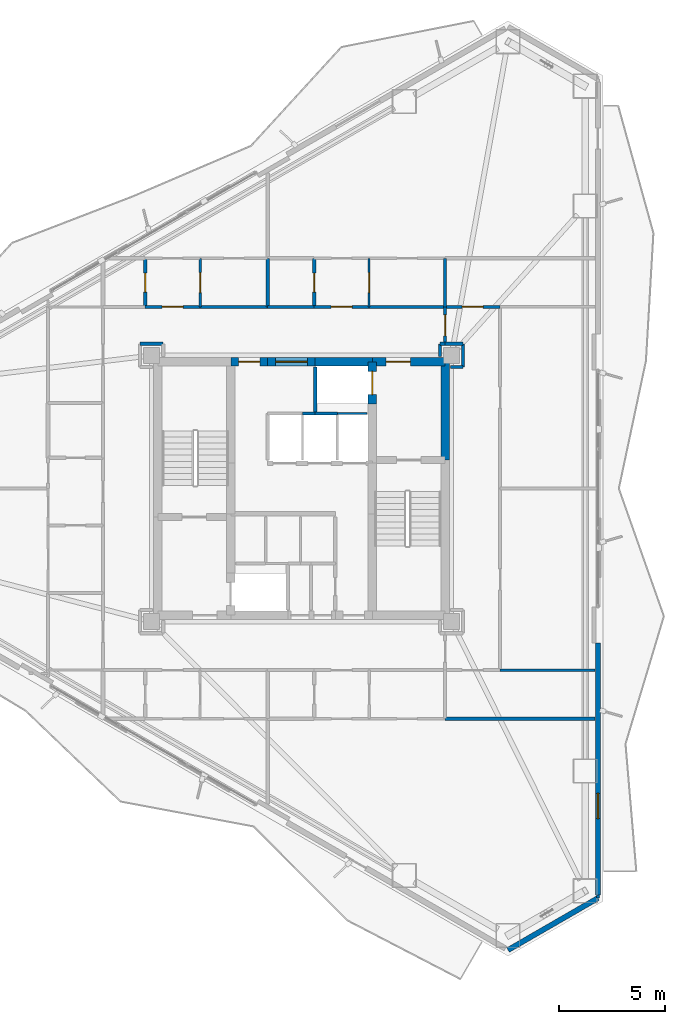
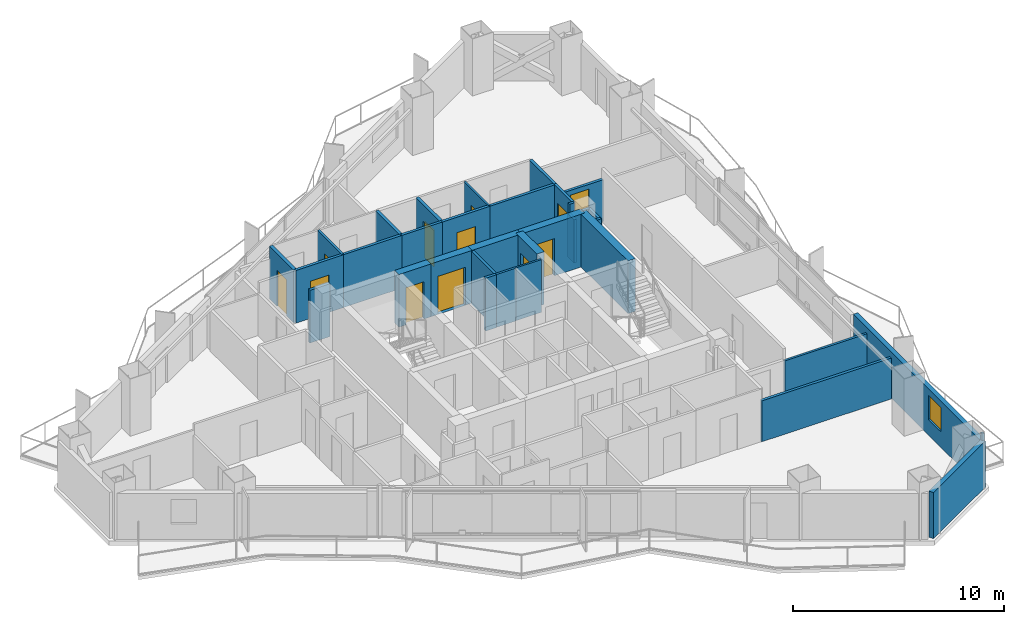
# One storey, part 18 of 22: 34 walls, 12 doors, 1 window, 13 openings.
"""IFC4 building model written with IfcOpenShell, lengths in metres."""

from ifc_helpers import new_model, si_unit, direction, frame, frame_2d, origin, place, context, subcontext, project, spatial, rectangle, extrude, material, layer, layer_set, type_object, element, fill, save


model = new_model("IFC4")

# Units and contexts
model_context = context("Model", 3, precision=1e-05, world=origin(), true_north=direction((0.0, 1.0)))
body_context = subcontext(model_context, "Body", "Model", "MODEL_VIEW")
ifc_project = project(units=[si_unit("LENGTHUNIT", "METRE"), si_unit("AREAUNIT", "SQUARE_METRE"), si_unit("VOLUMEUNIT", "CUBIC_METRE"), si_unit("PLANEANGLEUNIT", "RADIAN"), si_unit("MASSUNIT", "GRAM", prefix="KILO")], contexts=[model_context])

# Site, building, storey
site_placement = place(None, origin())
site = spatial("IfcSite", under=ifc_project, at=site_placement, CompositionType="ELEMENT")
building_placement = place(site_placement, origin())
building = spatial("IfcBuilding", under=site, at=building_placement, Name="Mersakhor Tower and Convention Hall", CompositionType="ELEMENT")
storey_placement = place(building_placement, frame((0.0, 0.0, 99.89990234375)))
storey = spatial("IfcBuildingStorey", under=building, at=storey_placement, Name="L27", CompositionType="ELEMENT", Elevation=99.89990234375)

# Wall
ifc_material_1 = material(Name="Precast concrete C40/50", Category="concrete")
ifc_layer_1 = layer(ifc_material_1, 0.25)
ifc_layer_set_1 = layer_set([ifc_layer_1], Name="Precast concrete C40/50")
wall_type_1 = type_object("IfcWallType", Name="WL-EXT-250", PredefinedType="SOLIDWALL", material=ifc_layer_set_1)
wall_1_placement = place(storey_placement, frame((43.03466796875, 7.355712890625, 0.0), z_axis=(0.0, 0.0, 1.0), x_axis=(-0.866011848704, -0.500023477353, 0.0)))
element("IfcWall", 1, at=wall_1_placement, inside=storey, type_object=wall_type_1, Name="L27 Chamfer Braced Spandrel Wall C2", PredefinedType="SOLIDWALL", context=body_context, shape_type="SweptSolid", body=[
    extrude(rectangle(XDim=4.914306640625, YDim=0.25, at=frame_2d((2.45703125, 0.0))), origin(), (0.0, 0.0, 1.0), 2.670166015625),
])

# Wall, opening, window
wall_2_placement = place(storey_placement, frame((43.03466796875, 19.435302734375, 0.0), z_axis=(0.0, 0.0, 1.0), x_axis=(0.0, -1.0, 0.0)))
wall_2 = element("IfcWall", 2, at=wall_2_placement, inside=storey, type_object=wall_type_1, Name="L27 Exterior Facade Wall F2-B3", PredefinedType="SOLIDWALL", context=body_context, shape_type="SweptSolid", body=[
    extrude(rectangle(XDim=11.9296875, YDim=0.25, at=frame_2d((5.96484375, 0.0))), origin(), (0.0, 0.0, 1.0), 2.670166015625),
])
opening_1_placement = place(wall_2_placement, frame((7.118896484375, 0.0, 0.89990234375)))
opening_1 = element("IfcOpeningElement", 3, at=opening_1_placement, cuts=wall_2, Name="Opening W-01", PredefinedType="OPENING", context=body_context, shape_type="SweptSolid", body=[
    extrude(rectangle(XDim=1.199951171875, YDim=1.39990234375, at=frame_2d((0.60009765625, 0.699951171875))), frame((0.0, 0.135009765625, 0.0), z_axis=(0.0, -1.0, 0.0), x_axis=(1.0, 0.0, 0.0)), (0.0, 0.0, 1.0), 0.27001953125),
])
ifc_material_2 = material(Name="Dark solar low-E glazed aluminium window", Category="aluminium")
window_type = type_object("IfcWindowType", Name="WN-RES-120x150", PartitioningType="SINGLE_PANEL", PredefinedType="WINDOW", material=ifc_material_2)
window_placement = place(opening_1_placement, origin())
window = element("IfcWindow", 4, at=window_placement, inside=storey, type_object=window_type, Name="L27 Bedroom Facade Window F2-B3-1", OverallHeight=1.39990234375, OverallWidth=1.199951171875, PartitioningType="SINGLE_PANEL", PredefinedType="WINDOW", context=body_context, shape_type="SweptSolid", body=[
    extrude(rectangle(XDim=1.199951171875, YDim=1.39990234375, at=frame_2d((0.60009765625, 0.699951171875))), frame((0.0, 0.030029296875, 0.0), z_axis=(0.0, -1.0, 0.0), x_axis=(1.0, 0.0, 0.0)), (0.0, 0.0, 1.0), 0.06005859375),
])
fill(opening_1, window)

# Wall, opening, door
ifc_material_3 = material(Name="Moisture-resistant acoustic drywall studwork", Category="other")
ifc_layer_2 = layer(ifc_material_3, 0.175048828125)
ifc_layer_set_2 = layer_set([ifc_layer_2], Name="Moisture-resistant acoustic drywall studwork")
wall_type_2 = type_object("IfcWallType", Name="WL-PLM-175", PredefinedType="PLUMBINGWALL", material=ifc_layer_set_2)
wall_3_placement = place(storey_placement, frame((21.60009765625, 35.35009765625, 0.0), z_axis=(0.0, 0.0, 1.0), x_axis=(0.0, 1.0, 0.0)))
wall_3 = element("IfcWall", 5, at=wall_3_placement, inside=storey, type_object=wall_type_2, Name="L27 Interior Partition Wall P-062", PredefinedType="PLUMBINGWALL", context=body_context, shape_type="SweptSolid", body=[
    extrude(rectangle(XDim=2.2998046875, YDim=0.175048828125, at=frame_2d((1.14990234375, 0.0))), origin(), (0.0, 0.0, 1.0), 3.050048828125),
])
opening_2_placement = place(wall_3_placement, frame((0.699951171875, 0.0, 0.0)))
opening_2 = element("IfcOpeningElement", 6, at=opening_2_placement, cuts=wall_3, Name="Opening WD-01", PredefinedType="OPENING", context=body_context, shape_type="SweptSolid", body=[
    extrude(rectangle(XDim=0.89990234375, YDim=2.10009765625, at=frame_2d((0.449951171875, 1.050048828125))), frame((0.0, 0.097412109375, 0.0), z_axis=(0.0, -1.0, 0.0), x_axis=(1.0, 0.0, 0.0)), (0.0, 0.0, 1.0), 0.195068359375),
])
ifc_material_4 = material(Name="Solid-core hardwood leaf in painted steel frame", Category="steel")
door_type_1 = type_object("IfcDoorType", Name="DR-INT-WET-090x210", OperationType="NOTDEFINED", PredefinedType="DOOR", material=ifc_material_4)
door_1_placement = place(opening_2_placement, origin())
door_1 = element("IfcDoor", 7, at=door_1_placement, inside=storey, type_object=door_type_1, Name="L27 L27 Flat N1 Apartment Hall to L27 Flat N1 Bathroom Door", OperationType="SINGLE_SWING_LEFT", OverallHeight=2.10009765625, OverallWidth=0.89990234375, PredefinedType="DOOR", context=body_context, shape_type="SweptSolid", body=[
    extrude(rectangle(XDim=0.89990234375, YDim=2.10009765625, at=frame_2d((0.449951171875, 1.050048828125))), frame((0.0, 0.02490234375, 0.0), z_axis=(0.0, -1.0, 0.0), x_axis=(1.0, 0.0, 0.0)), (0.0, 0.0, 1.0), 0.050048828125),
])
fill(opening_2, door_1)

wall_4_placement = place(storey_placement, frame((29.60009765625, 35.35009765625, 0.0), z_axis=(0.0, 0.0, 1.0), x_axis=(0.0, 1.0, 0.0)))
wall_4 = element("IfcWall", 8, at=wall_4_placement, inside=storey, type_object=wall_type_2, Name="L27 Interior Partition Wall P-065", PredefinedType="PLUMBINGWALL", context=body_context, shape_type="SweptSolid", body=[
    extrude(rectangle(XDim=2.2998046875, YDim=0.175048828125, at=frame_2d((1.14990234375, 0.0))), origin(), (0.0, 0.0, 1.0), 3.050048828125),
])
opening_3_placement = place(wall_4_placement, frame((0.699951171875, 0.0, 0.0)))
opening_3 = element("IfcOpeningElement", 9, at=opening_3_placement, cuts=wall_4, Name="Opening WD-01", PredefinedType="OPENING", context=body_context, shape_type="SweptSolid", body=[
    extrude(rectangle(XDim=0.89990234375, YDim=2.10009765625, at=frame_2d((0.449951171875, 1.050048828125))), frame((0.0, 0.097412109375, 0.0), z_axis=(0.0, -1.0, 0.0), x_axis=(1.0, 0.0, 0.0)), (0.0, 0.0, 1.0), 0.195068359375),
])
door_2_placement = place(opening_3_placement, origin())
door_2 = element("IfcDoor", 10, at=door_2_placement, inside=storey, type_object=door_type_1, Name="L27 L27 Flat N2 Apartment Hall to L27 Flat N2 Bathroom Door", OperationType="SINGLE_SWING_RIGHT", OverallHeight=2.10009765625, OverallWidth=0.89990234375, PredefinedType="DOOR", context=body_context, shape_type="SweptSolid", body=[
    extrude(rectangle(XDim=0.89990234375, YDim=2.10009765625, at=frame_2d((0.449951171875, 1.050048828125))), frame((0.0, 0.02490234375, 0.0), z_axis=(0.0, -1.0, 0.0), x_axis=(1.0, 0.0, 0.0)), (0.0, 0.0, 1.0), 0.050048828125),
])
fill(opening_3, door_2)

# Wall
ifc_material_5 = material(Name="Lightweight gypsum partition", Category="other")
ifc_layer_3 = layer(ifc_material_5, 0.10009765625)
ifc_layer_set_3 = layer_set([ifc_layer_3], Name="Lightweight gypsum partition")
wall_type_3 = type_object("IfcWallType", Name="WL-PRT-100", PredefinedType="PARTITIONING", material=ifc_layer_set_3)
wall_5_placement = place(storey_placement, frame((32.10009765625, 30.300048828125, 0.0), z_axis=(0.0, 0.0, 1.0), x_axis=(-1.0, 0.0, 0.0)))
element("IfcWall", 11, at=wall_5_placement, inside=storey, type_object=wall_type_3, Name="L27 Interior Partition Wall P-004", PredefinedType="PARTITIONING", context=body_context, shape_type="SweptSolid", body=[
    extrude(rectangle(XDim=1.400146484375, YDim=0.10009765625, at=frame_2d((0.7001953125, 0.0))), origin(), (0.0, 0.0, 1.0), 3.050048828125),
])

# Wall, opening, door
wall_6_placement = place(storey_placement, frame((32.199951171875, 37.64990234375, 0.0), z_axis=(0.0, 0.0, 1.0), x_axis=(0.0, -1.0, 0.0)))
wall_6 = element("IfcWall", 12, at=wall_6_placement, inside=storey, type_object=wall_type_3, Name="L27 Interior Partition Wall P-064", PredefinedType="PARTITIONING", context=body_context, shape_type="SweptSolid", body=[
    extrude(rectangle(XDim=2.2998046875, YDim=0.10009765625, at=frame_2d((1.14990234375, 0.0))), origin(), (0.0, 0.0, 1.0), 3.050048828125),
])
opening_4_placement = place(wall_6_placement, frame((0.675048828125, 0.0, 0.0)))
opening_4 = element("IfcOpeningElement", 13, at=opening_4_placement, cuts=wall_6, Name="Opening RD-01", PredefinedType="OPENING", context=body_context, shape_type="SweptSolid", body=[
    extrude(rectangle(XDim=0.949951171875, YDim=2.10009765625, at=frame_2d((0.47509765625, 1.050048828125))), frame((0.0, 0.06005859375, 0.0), z_axis=(0.0, -1.0, 0.0), x_axis=(1.0, 0.0, 0.0)), (0.0, 0.0, 1.0), 0.1201171875),
])
ifc_material_6 = material(Name="Solid-core hardwood leaf in painted steel frame", Category="steel")
door_type_2 = type_object("IfcDoorType", Name="DR-INT-RM-095x210", OperationType="NOTDEFINED", PredefinedType="DOOR", material=ifc_material_6)
door_3_placement = place(opening_4_placement, origin())
door_3 = element("IfcDoor", 14, at=door_3_placement, inside=storey, type_object=door_type_2, Name="L27 L27 Flat N2 Apartment Hall to L27 Flat N2 Kitchen Door", OperationType="SINGLE_SWING_LEFT", OverallHeight=2.10009765625, OverallWidth=0.949951171875, PredefinedType="DOOR", context=body_context, shape_type="SweptSolid", body=[
    extrude(rectangle(XDim=0.949951171875, YDim=2.10009765625, at=frame_2d((0.47509765625, 1.050048828125))), frame((0.0, 0.02490234375, 0.0), z_axis=(0.0, -1.0, 0.0), x_axis=(1.0, 0.0, 0.0)), (0.0, 0.0, 1.0), 0.050048828125),
])
fill(opening_4, door_3)

# Wall
ifc_material_7 = material(Name="Gypsum board acoustic partition", Category="other")
ifc_layer_4 = layer(ifc_material_7, 0.125)
ifc_layer_set_4 = layer_set([ifc_layer_4], Name="Gypsum board acoustic partition")
wall_type_4 = type_object("IfcWallType", Name="WL-PRT-125", PredefinedType="PARTITIONING", material=ifc_layer_set_4)
wall_7_placement = place(storey_placement, frame((30.699951171875, 30.300048828125, 0.0), z_axis=(0.0, 0.0, 1.0), x_axis=(-1.0, 0.0, 0.0)))
element("IfcWall", 15, at=wall_7_placement, inside=storey, type_object=wall_type_4, Name="L27 Interior Partition Wall P-005", PredefinedType="PARTITIONING", context=body_context, shape_type="SweptSolid", body=[
    extrude(rectangle(XDim=1.050048828125, YDim=0.125, at=frame_2d((0.52490234375, 0.0))), origin(), (0.0, 0.0, 1.0), 3.050048828125),
])

# Wall, opening, door
wall_8_placement = place(storey_placement, frame((24.199951171875, 37.64990234375, 0.0), z_axis=(0.0, 0.0, 1.0), x_axis=(0.0, -1.0, 0.0)))
wall_8 = element("IfcWall", 16, at=wall_8_placement, inside=storey, type_object=wall_type_4, Name="L27 Interior Partition Wall P-061", PredefinedType="PARTITIONING", context=body_context, shape_type="SweptSolid", body=[
    extrude(rectangle(XDim=2.2998046875, YDim=0.125, at=frame_2d((1.14990234375, 0.0))), origin(), (0.0, 0.0, 1.0), 3.050048828125),
])
opening_5_placement = place(wall_8_placement, frame((0.675048828125, 0.0, 0.0)))
opening_5 = element("IfcOpeningElement", 17, at=opening_5_placement, cuts=wall_8, Name="Opening RD-01", PredefinedType="OPENING", context=body_context, shape_type="SweptSolid", body=[
    extrude(rectangle(XDim=0.949951171875, YDim=2.10009765625, at=frame_2d((0.47509765625, 1.050048828125))), frame((0.0, 0.072509765625, 0.0), z_axis=(0.0, -1.0, 0.0), x_axis=(1.0, 0.0, 0.0)), (0.0, 0.0, 1.0), 0.14501953125),
])
door_4_placement = place(opening_5_placement, origin())
door_4 = element("IfcDoor", 18, at=door_4_placement, inside=storey, type_object=door_type_2, Name="L27 L27 Flat N1 Apartment Hall to L27 Flat N1 Kitchen Door", OperationType="SINGLE_SWING_RIGHT", OverallHeight=2.10009765625, OverallWidth=0.949951171875, PredefinedType="DOOR", context=body_context, shape_type="SweptSolid", body=[
    extrude(rectangle(XDim=0.949951171875, YDim=2.10009765625, at=frame_2d((0.47509765625, 1.050048828125))), frame((0.0, 0.02490234375, 0.0), z_axis=(0.0, -1.0, 0.0), x_axis=(1.0, 0.0, 0.0)), (0.0, 0.0, 1.0), 0.050048828125),
])
fill(opening_5, door_4)

# Walls
wall_9_placement = place(storey_placement, frame((38.39990234375, 18.14990234375, 0.0), z_axis=(0.0, 0.0, 1.0), x_axis=(1.0, 0.0, 0.0)))
element("IfcWall", 19, at=wall_9_placement, inside=storey, type_object=wall_type_4, Name="L27 Interior Partition Wall P-097", PredefinedType="PARTITIONING", context=body_context, shape_type="SweptSolid", body=[
    extrude(rectangle(XDim=4.485595703125, YDim=0.125, at=frame_2d((2.24267578125, 0.0))), origin(), (0.0, 0.0, 1.0), 2.364990234375),
])
wall_10_placement = place(storey_placement, frame((43.034912109375, 7.505615234375, 0.0), z_axis=(0.0, 0.0, 1.0), x_axis=(0.0, -1.0, 0.0)))
element("IfcWall", 20, at=wall_10_placement, inside=storey, type_object=wall_type_4, Name="L27 Interior Partition Wall P-107", PredefinedType="PARTITIONING", context=body_context, shape_type="SweptSolid", body=[
    extrude(rectangle(XDim=0.149658203125, YDim=0.125, at=frame_2d((0.07470703125, 0.0))), origin(), (0.0, 0.0, 1.0), 3.050048828125),
])
ifc_material_8 = material(Name="Fire-rated gypsum board stud partition", Category="other")
ifc_layer_5 = layer(ifc_material_8, 0.14990234375)
ifc_layer_set_5 = layer_set([ifc_layer_5], Name="Fire-rated gypsum board stud partition")
wall_type_5 = type_object("IfcWallType", Name="WL-PRT-150", PredefinedType="PARTITIONING", material=ifc_layer_set_5)
wall_11_placement = place(storey_placement, frame((29.64990234375, 30.300048828125, 0.0), z_axis=(0.0, 0.0, 1.0), x_axis=(0.0, 1.0, 0.0)))
element("IfcWall", 21, at=wall_11_placement, inside=storey, type_object=wall_type_5, Name="L27 Interior Partition Wall P-006", PredefinedType="PARTITIONING", context=body_context, shape_type="SweptSolid", body=[
    extrude(rectangle(XDim=2.199951171875, YDim=0.14990234375, at=frame_2d((1.10009765625, 0.0))), origin(), (0.0, 0.0, 1.0), 3.050048828125),
])
wall_12_placement = place(storey_placement, frame((29.050048828125, 30.300048828125, 0.0), z_axis=(0.0, 0.0, 1.0), x_axis=(1.0, 0.0, 0.0)))
element("IfcWall", 22, at=wall_12_placement, inside=storey, type_object=wall_type_5, Name="L27 Interior Partition Wall P-016", PredefinedType="PARTITIONING", context=body_context, shape_type="SweptSolid", body=[
    extrude(rectangle(XDim=0.599853515625, YDim=0.14990234375, at=frame_2d((0.2998046875, 0.0))), origin(), (0.0, 0.0, 1.0), 3.050048828125),
])

# Wall, opening, door
wall_13_placement = place(storey_placement, frame((21.60009765625, 35.35009765625, 0.0), z_axis=(0.0, 0.0, 1.0), x_axis=(1.0, 0.0, 0.0)))
wall_13 = element("IfcWall", 23, at=wall_13_placement, inside=storey, type_object=wall_type_5, Name="L27 Interior Partition Wall P-036", PredefinedType="PARTITIONING", context=body_context, shape_type="SweptSolid", body=[
    extrude(rectangle(XDim=2.599853515625, YDim=0.14990234375, at=frame_2d((1.2998046875, 0.0))), origin(), (0.0, 0.0, 1.0), 3.050048828125),
])
opening_6_placement = place(wall_13_placement, frame((0.800048828125, 0.0, 0.0)))
opening_6 = element("IfcOpeningElement", 24, at=opening_6_placement, cuts=wall_13, Name="Opening FD-01", PredefinedType="OPENING", context=body_context, shape_type="SweptSolid", body=[
    extrude(rectangle(XDim=1.0, YDim=2.14990234375, at=frame_2d((0.5, 1.074951171875))), frame((0.0, 0.0849609375, 0.0), z_axis=(0.0, -1.0, 0.0), x_axis=(1.0, 0.0, 0.0)), (0.0, 0.0, 1.0), 0.169921875),
])
ifc_material_9 = material(Name="Fire-rated hardwood leaf and painted steel frame", Category="steel")
door_type_3 = type_object("IfcDoorType", Name="DR-INT-FLT-100x215", OperationType="NOTDEFINED", PredefinedType="DOOR", material=ifc_material_9)
door_5_placement = place(opening_6_placement, origin())
door_5 = element("IfcDoor", 25, at=door_5_placement, inside=storey, type_object=door_type_3, Name="L27 Apartment Entrance Door (Residential Ring Corridor to L27 Flat N1 Apartment Hall)", OperationType="SINGLE_SWING_RIGHT", OverallHeight=2.14990234375, OverallWidth=1.0, PredefinedType="DOOR", context=body_context, shape_type="SweptSolid", body=[
    extrude(rectangle(XDim=1.0, YDim=2.14990234375, at=frame_2d((0.5, 1.074951171875))), frame((0.0, 0.02490234375, 0.0), z_axis=(0.0, -1.0, 0.0), x_axis=(1.0, 0.0, 0.0)), (0.0, 0.0, 1.0), 0.050048828125),
])
fill(opening_6, door_5)

# Walls
wall_14_placement = place(storey_placement, frame((24.199951171875, 35.35009765625, 0.0), z_axis=(0.0, 0.0, 1.0), x_axis=(1.0, 0.0, 0.0)))
element("IfcWall", 26, at=wall_14_placement, inside=storey, type_object=wall_type_5, Name="L27 Interior Partition Wall P-037", PredefinedType="PARTITIONING", context=body_context, shape_type="SweptSolid", body=[
    extrude(rectangle(XDim=3.199951171875, YDim=0.14990234375, at=frame_2d((1.60009765625, 0.0))), origin(), (0.0, 0.0, 1.0), 3.050048828125),
])
wall_15_placement = place(storey_placement, frame((27.39990234375, 35.35009765625, 0.0), z_axis=(0.0, 0.0, 1.0), x_axis=(1.0, 0.0, 0.0)))
element("IfcWall", 27, at=wall_15_placement, inside=storey, type_object=wall_type_5, Name="L27 Interior Partition Wall P-038", PredefinedType="PARTITIONING", context=body_context, shape_type="SweptSolid", body=[
    extrude(rectangle(XDim=2.2001953125, YDim=0.14990234375, at=frame_2d((1.10009765625, 0.0))), origin(), (0.0, 0.0, 1.0), 3.050048828125),
])

# Wall, opening, door
wall_16_placement = place(storey_placement, frame((29.60009765625, 35.35009765625, 0.0), z_axis=(0.0, 0.0, 1.0), x_axis=(1.0, 0.0, 0.0)))
wall_16 = element("IfcWall", 28, at=wall_16_placement, inside=storey, type_object=wall_type_5, Name="L27 Interior Partition Wall P-039", PredefinedType="PARTITIONING", context=body_context, shape_type="SweptSolid", body=[
    extrude(rectangle(XDim=2.599853515625, YDim=0.14990234375, at=frame_2d((1.2998046875, 0.0))), origin(), (0.0, 0.0, 1.0), 3.050048828125),
])
opening_7_placement = place(wall_16_placement, frame((0.800048828125, 0.0, 0.0)))
opening_7 = element("IfcOpeningElement", 29, at=opening_7_placement, cuts=wall_16, Name="Opening FD-01", PredefinedType="OPENING", context=body_context, shape_type="SweptSolid", body=[
    extrude(rectangle(XDim=1.0, YDim=2.14990234375, at=frame_2d((0.5, 1.074951171875))), frame((0.0, 0.0849609375, 0.0), z_axis=(0.0, -1.0, 0.0), x_axis=(1.0, 0.0, 0.0)), (0.0, 0.0, 1.0), 0.169921875),
])
door_6_placement = place(opening_7_placement, origin())
door_6 = element("IfcDoor", 30, at=door_6_placement, inside=storey, type_object=door_type_3, Name="L27 Apartment Entrance Door (Residential Ring Corridor to L27 Flat N2 Apartment Hall)", OperationType="SINGLE_SWING_LEFT", OverallHeight=2.14990234375, OverallWidth=1.0, PredefinedType="DOOR", context=body_context, shape_type="SweptSolid", body=[
    extrude(rectangle(XDim=1.0, YDim=2.14990234375, at=frame_2d((0.5, 1.074951171875))), frame((0.0, 0.02490234375, 0.0), z_axis=(0.0, -1.0, 0.0), x_axis=(1.0, 0.0, 0.0)), (0.0, 0.0, 1.0), 0.050048828125),
])
fill(opening_7, door_6)

# Wall
wall_17_placement = place(storey_placement, frame((32.199951171875, 35.35009765625, 0.0), z_axis=(0.0, 0.0, 1.0), x_axis=(1.0, 0.0, 0.0)))
element("IfcWall", 31, at=wall_17_placement, inside=storey, type_object=wall_type_5, Name="L27 Interior Partition Wall P-040", PredefinedType="PARTITIONING", context=body_context, shape_type="SweptSolid", body=[
    extrude(rectangle(XDim=3.60009765625, YDim=0.14990234375, at=frame_2d((1.800048828125, 0.0))), origin(), (0.0, 0.0, 1.0), 3.050048828125),
])

# Wall, opening, door
wall_18_placement = place(storey_placement, frame((35.800048828125, 35.35009765625, 0.0), z_axis=(0.0, 0.0, 1.0), x_axis=(0.0, -1.0, 0.0)))
wall_18 = element("IfcWall", 32, at=wall_18_placement, inside=storey, type_object=wall_type_5, Name="L27 Interior Partition Wall P-041", PredefinedType="PARTITIONING", context=body_context, shape_type="SweptSolid", body=[
    extrude(rectangle(XDim=1.75, YDim=0.14990234375, at=frame_2d((0.875, 0.0))), origin(), (0.0, 0.0, 1.0), 3.050048828125),
])
opening_8_placement = place(wall_18_placement, frame((0.375, 0.0, 0.0)))
opening_8 = element("IfcOpeningElement", 33, at=opening_8_placement, cuts=wall_18, Name="Opening FD-01", PredefinedType="OPENING", context=body_context, shape_type="SweptSolid", body=[
    extrude(rectangle(XDim=1.0, YDim=2.14990234375, at=frame_2d((0.5, 1.074951171875))), frame((0.0, 0.0849609375, 0.0), z_axis=(0.0, -1.0, 0.0), x_axis=(1.0, 0.0, 0.0)), (0.0, 0.0, 1.0), 0.169921875),
])
door_7_placement = place(opening_8_placement, origin())
door_7 = element("IfcDoor", 34, at=door_7_placement, inside=storey, type_object=door_type_3, Name="L27 Ring Corridor Fire Door", OperationType="SINGLE_SWING_LEFT", OverallHeight=2.14990234375, OverallWidth=1.0, PredefinedType="DOOR", context=body_context, shape_type="SweptSolid", body=[
    extrude(rectangle(XDim=1.0, YDim=2.14990234375, at=frame_2d((0.5, 1.074951171875))), frame((0.0, 0.02490234375, 0.0), z_axis=(0.0, -1.0, 0.0), x_axis=(1.0, 0.0, 0.0)), (0.0, 0.0, 1.0), 0.050048828125),
])
fill(opening_8, door_7)

# Walls
wall_19_placement = place(storey_placement, frame((35.800048828125, 33.60009765625, 0.0), z_axis=(0.0, 0.0, 1.0), x_axis=(-1.0, 0.0, 0.0)))
element("IfcWall", 35, at=wall_19_placement, inside=storey, type_object=wall_type_5, Name="L27 Interior Partition Wall P-042", PredefinedType="PARTITIONING", context=body_context, shape_type="SweptSolid", body=[
    extrude(rectangle(XDim=0.25, YDim=0.14990234375, at=frame_2d((0.125, 0.0))), origin(), (0.0, 0.0, 1.0), 3.050048828125),
])
wall_20_placement = place(storey_placement, frame((35.550048828125, 33.60009765625, 0.0), z_axis=(0.0, 0.0, 1.0), x_axis=(0.0, -1.0, 0.0)))
element("IfcWall", 36, at=wall_20_placement, inside=storey, type_object=wall_type_5, Name="L27 Interior Partition Wall P-043", PredefinedType="PARTITIONING", context=body_context, shape_type="SweptSolid", body=[
    extrude(rectangle(XDim=0.60009765625, YDim=0.14990234375, at=frame_2d((0.300048828125, 0.0))), origin(), (0.0, 0.0, 1.0), 2.498291015625),
])
wall_21_placement = place(storey_placement, frame((22.449951171875, 33.60009765625, 0.0), z_axis=(0.0, 0.0, 1.0), x_axis=(-1.0, 0.0, 0.0)))
element("IfcWall", 37, at=wall_21_placement, inside=storey, type_object=wall_type_5, Name="L27 Interior Partition Wall P-045", PredefinedType="PARTITIONING", context=body_context, shape_type="SweptSolid", body=[
    extrude(rectangle(XDim=1.099853515625, YDim=0.14990234375, at=frame_2d((0.5498046875, 0.0))), origin(), (0.0, 0.0, 1.0), 3.050048828125),
])
wall_22_placement = place(storey_placement, frame((36.050048828125, 32.5, 0.0), z_axis=(0.0, 0.0, 1.0), x_axis=(1.0, 0.0, 0.0)))
element("IfcWall", 38, at=wall_22_placement, inside=storey, type_object=wall_type_5, Name="L27 Interior Partition Wall P-051", PredefinedType="PARTITIONING", context=body_context, shape_type="SweptSolid", body=[
    extrude(rectangle(XDim=0.599853515625, YDim=0.14990234375, at=frame_2d((0.2998046875, 0.0))), origin(), (0.0, 0.0, 1.0), 2.498291015625),
])
wall_23_placement = place(storey_placement, frame((36.64990234375, 32.5, 0.0), z_axis=(0.0, 0.0, 1.0), x_axis=(0.0, 1.0, 0.0)))
element("IfcWall", 39, at=wall_23_placement, inside=storey, type_object=wall_type_5, Name="L27 Interior Partition Wall P-052", PredefinedType="PARTITIONING", context=body_context, shape_type="SweptSolid", body=[
    extrude(rectangle(XDim=1.10009765625, YDim=0.14990234375, at=frame_2d((0.550048828125, 0.0))), origin(), (0.0, 0.0, 1.0), 2.4228515625),
])
wall_24_placement = place(storey_placement, frame((36.64990234375, 33.60009765625, 0.0), z_axis=(0.0, 0.0, 1.0), x_axis=(-1.0, 0.0, 0.0)))
element("IfcWall", 40, at=wall_24_placement, inside=storey, type_object=wall_type_5, Name="L27 Interior Partition Wall P-053", PredefinedType="PARTITIONING", context=body_context, shape_type="SweptSolid", body=[
    extrude(rectangle(XDim=0.849853515625, YDim=0.14990234375, at=frame_2d((0.4248046875, 0.0))), origin(), (0.0, 0.0, 1.0), 2.4228515625),
])

# Wall, opening, door
wall_25_placement = place(storey_placement, frame((35.800048828125, 35.35009765625, 0.0), z_axis=(0.0, 0.0, 1.0), x_axis=(1.0, 0.0, 0.0)))
wall_25 = element("IfcWall", 41, at=wall_25_placement, inside=storey, type_object=wall_type_5, Name="L27 Interior Partition Wall P-054", PredefinedType="PARTITIONING", context=body_context, shape_type="SweptSolid", body=[
    extrude(rectangle(XDim=2.599853515625, YDim=0.14990234375, at=frame_2d((1.2998046875, 0.0))), origin(), (0.0, 0.0, 1.0), 2.4228515625),
])
opening_9_placement = place(wall_25_placement, frame((0.800048828125, 0.0, 0.0)))
opening_9 = element("IfcOpeningElement", 42, at=opening_9_placement, cuts=wall_25, Name="Opening FD-01", PredefinedType="OPENING", context=body_context, shape_type="SweptSolid", body=[
    extrude(rectangle(XDim=1.0, YDim=2.14990234375, at=frame_2d((0.5, 1.074951171875))), frame((0.0, 0.0849609375, 0.0), z_axis=(0.0, -1.0, 0.0), x_axis=(1.0, 0.0, 0.0)), (0.0, 0.0, 1.0), 0.169921875),
])
door_8_placement = place(opening_9_placement, origin())
door_8 = element("IfcDoor", 43, at=door_8_placement, inside=storey, type_object=door_type_3, Name="L27 Residential Ring East Corridor to L27 North-East Shared Pantry Door", OperationType="SINGLE_SWING_LEFT", OverallHeight=2.14990234375, OverallWidth=1.0, PredefinedType="DOOR", context=body_context, shape_type="SweptSolid", body=[
    extrude(rectangle(XDim=1.0, YDim=2.14990234375, at=frame_2d((0.5, 1.074951171875))), frame((0.0, 0.02490234375, 0.0), z_axis=(0.0, -1.0, 0.0), x_axis=(1.0, 0.0, 0.0)), (0.0, 0.0, 1.0), 0.050048828125),
])
fill(opening_9, door_8)

# Walls
for number, where, z_axis, x_axis, name in (
    (44, (27.39990234375, 37.64990234375, 0.0), (0.0, 0.0, 1.0), (0.0, -1.0, 0.0), "L27 Interior Partition Wall P-079"),
    (45, (35.800048828125, 37.64990234375, 0.0), (0.0, 0.0, 1.0), (0.0, -1.0, 0.0), "L27 Interior Partition Wall P-082"),
):
    element("IfcWall", number, at=place(storey_placement, frame(where, z_axis=z_axis, x_axis=x_axis)), inside=storey, type_object=wall_type_5, Name=name, PredefinedType="PARTITIONING", context=body_context, shape_type="SweptSolid", body=[
        extrude(rectangle(XDim=2.2998046875, YDim=0.14990234375, at=frame_2d((1.14990234375, 0.0))), origin(), (0.0, 0.0, 1.0), 3.050048828125),
    ])
wall_26_placement = place(storey_placement, frame((42.885498046875, 15.85009765625, 0.0), z_axis=(0.0, 0.0, 1.0), x_axis=(-1.0, 0.0, 0.0)))
element("IfcWall", 46, at=wall_26_placement, inside=storey, type_object=wall_type_5, Name="L27 Interior Partition Wall P-098", PredefinedType="PARTITIONING", context=body_context, shape_type="SweptSolid", body=[
    extrude(rectangle(XDim=7.08544921875, YDim=0.14990234375, at=frame_2d((3.542724609375, 0.0))), origin(), (0.0, 0.0, 1.0), 2.364990234375),
])

# Wall, opening, door
ifc_material_10 = material(Name="Concrete C60/75", Category="concrete")
ifc_layer_6 = layer(ifc_material_10, 0.39990234375)
ifc_layer_set_6 = layer_set([ifc_layer_6], Name="Concrete C60/75")
wall_type_6 = type_object("IfcWallType", Name="WL-SHR-400", PredefinedType="SHEAR", material=ifc_layer_set_6)
wall_27_placement = place(storey_placement, frame((25.64990234375, 32.75, 0.0), z_axis=(0.0, 0.0, 1.0), x_axis=(1.0, 0.0, 0.0)))
wall_27 = element("IfcWall", 47, at=wall_27_placement, inside=storey, type_object=wall_type_6, Name="L27 Core Wall CW-N2A", PredefinedType="SHEAR", context=body_context, shape_type="SweptSolid", body=[
    extrude(rectangle(XDim=1.75, YDim=0.39990234375, at=frame_2d((0.875, 0.0))), origin(), (0.0, 0.0, 1.0), 3.050048828125),
])
opening_10_placement = place(wall_27_placement, frame((0.375, 0.0, 0.0)))
opening_10 = element("IfcOpeningElement", 48, at=opening_10_placement, cuts=wall_27, Name="Opening CFD-01", PredefinedType="OPENING", context=body_context, shape_type="SweptSolid", body=[
    extrude(rectangle(XDim=1.0, YDim=2.14990234375, at=frame_2d((0.5, 1.074951171875))), frame((0.0, 0.2099609375, 0.0), z_axis=(0.0, -1.0, 0.0), x_axis=(1.0, 0.0, 0.0)), (0.0, 0.0, 1.0), 0.419921875),
])
ifc_material_11 = material(Name="Fire-rated hardwood leaf and painted steel frame", Category="steel")
door_type_4 = type_object("IfcDoorType", Name="DR-CORE-FD-100x215", OperationType="NOTDEFINED", PredefinedType="DOOR", material=ifc_material_11)
door_9_placement = place(opening_10_placement, origin())
door_9 = element("IfcDoor", 49, at=door_9_placement, inside=storey, type_object=door_type_4, Name="L27 Lift Lobby North Corridor Door", OperationType="SINGLE_SWING_LEFT", OverallHeight=2.14990234375, OverallWidth=1.0, PredefinedType="DOOR", context=body_context, shape_type="SweptSolid", body=[
    extrude(rectangle(XDim=1.0, YDim=2.14990234375, at=frame_2d((0.5, 1.074951171875))), frame((0.0, 0.02490234375, 0.0), z_axis=(0.0, -1.0, 0.0), x_axis=(1.0, 0.0, 0.0)), (0.0, 0.0, 1.0), 0.050048828125),
])
fill(opening_10, door_9)

wall_28_placement = place(storey_placement, frame((27.39990234375, 32.75, 0.0), z_axis=(0.0, 0.0, 1.0), x_axis=(1.0, 0.0, 0.0)))
wall_28 = element("IfcWall", 50, at=wall_28_placement, inside=storey, type_object=wall_type_6, Name="L27 Core Wall CW-N2B", PredefinedType="SHEAR", context=body_context, shape_type="SweptSolid", body=[
    extrude(rectangle(XDim=2.25, YDim=0.39990234375, at=frame_2d((1.125, 0.0))), origin(), (0.0, 0.0, 1.0), 3.050048828125),
])
opening_11_placement = place(wall_28_placement, frame((0.375, 0.0, 0.0)))
opening_11 = element("IfcOpeningElement", 51, at=opening_11_placement, cuts=wall_28, Name="Opening LD-LOB", PredefinedType="OPENING", context=body_context, shape_type="SweptSolid", body=[
    extrude(rectangle(XDim=1.5, YDim=2.199951171875, at=frame_2d((0.75, 1.10009765625))), frame((0.0, 0.2099609375, 0.0), z_axis=(0.0, -1.0, 0.0), x_axis=(1.0, 0.0, 0.0)), (0.0, 0.0, 1.0), 0.419921875),
])
ifc_material_12 = material(Name="Fire-rated hardwood leaf and painted steel frame", Category="steel")
door_type_5 = type_object("IfcDoorType", Name="DR-INT-LOB-150x220", OperationType="NOTDEFINED", PredefinedType="DOOR", material=ifc_material_12)
door_10_placement = place(opening_11_placement, origin())
door_10 = element("IfcDoor", 52, at=door_10_placement, inside=storey, type_object=door_type_5, Name="L27 Central Passenger Lift Lobby to Residential Ring Corridor Door", OperationType="DOUBLE_DOOR_SINGLE_SWING", OverallHeight=2.199951171875, OverallWidth=1.5, PredefinedType="DOOR", context=body_context, shape_type="SweptSolid", body=[
    extrude(rectangle(XDim=1.5, YDim=2.199951171875, at=frame_2d((0.75, 1.10009765625))), frame((0.0, 0.02490234375, 0.0), z_axis=(0.0, -1.0, 0.0), x_axis=(1.0, 0.0, 0.0)), (0.0, 0.0, 1.0), 0.050048828125),
])
fill(opening_11, door_10)

# Wall
wall_29_placement = place(storey_placement, frame((29.64990234375, 32.75, 0.0), z_axis=(0.0, 0.0, 1.0), x_axis=(1.0, 0.0, 0.0)))
element("IfcWall", 53, at=wall_29_placement, inside=storey, type_object=wall_type_6, Name="L27 Core Wall CW-N3", PredefinedType="SHEAR", context=body_context, shape_type="SweptSolid", body=[
    extrude(rectangle(XDim=2.7001953125, YDim=0.39990234375, at=frame_2d((1.35009765625, 0.0))), origin(), (0.0, 0.0, 1.0), 3.050048828125),
])

# Wall, opening, door
wall_30_placement = place(storey_placement, frame((32.35009765625, 32.75, 0.0), z_axis=(0.0, 0.0, 1.0), x_axis=(1.0, 0.0, 0.0)))
wall_30 = element("IfcWall", 54, at=wall_30_placement, inside=storey, type_object=wall_type_6, Name="L27 Core Wall CW-N4", PredefinedType="SHEAR", context=body_context, shape_type="SweptSolid", body=[
    extrude(rectangle(XDim=3.449951171875, YDim=0.39990234375, at=frame_2d((1.72509765625, 0.0))), origin(), (0.0, 0.0, 1.0), 3.050048828125),
])
opening_12_placement = place(wall_30_placement, frame((0.64990234375, 0.0, 0.0)))
opening_12 = element("IfcOpeningElement", 55, at=opening_12_placement, cuts=wall_30, Name="Opening SD-01", PredefinedType="OPENING", context=body_context, shape_type="SweptSolid", body=[
    extrude(rectangle(XDim=1.14990234375, YDim=2.14990234375, at=frame_2d((0.574951171875, 1.074951171875))), frame((0.0, 0.2099609375, 0.0), z_axis=(0.0, -1.0, 0.0), x_axis=(1.0, 0.0, 0.0)), (0.0, 0.0, 1.0), 0.419921875),
])
ifc_material_13 = material(Name="Fire-rated hardwood leaf and painted steel frame", Category="steel")
door_type_6 = type_object("IfcDoorType", Name="DR-INT-STAIR-115x215", OperationType="NOTDEFINED", PredefinedType="DOOR", material=ifc_material_13)
door_11_placement = place(opening_12_placement, origin())
door_11 = element("IfcDoor", 56, at=door_11_placement, inside=storey, type_object=door_type_6, Name="L27 Firefighting Lobby East Fire Door", OperationType="SINGLE_SWING_RIGHT", OverallHeight=2.14990234375, OverallWidth=1.14990234375, PredefinedType="DOOR", context=body_context, shape_type="SweptSolid", body=[
    extrude(rectangle(XDim=1.14990234375, YDim=2.14990234375, at=frame_2d((0.574951171875, 1.074951171875))), frame((0.0, 0.02490234375, 0.0), z_axis=(0.0, -1.0, 0.0), x_axis=(1.0, 0.0, 0.0)), (0.0, 0.0, 1.0), 0.050048828125),
])
fill(opening_12, door_11)

# Wall
wall_31_placement = place(storey_placement, frame((35.800048828125, 32.75, 0.0), z_axis=(0.0, 0.0, 1.0), x_axis=(0.0, -1.0, 0.0)))
element("IfcWall", 57, at=wall_31_placement, inside=storey, type_object=wall_type_6, Name="L27 Core Wall CW-E1", PredefinedType="SHEAR", context=body_context, shape_type="SweptSolid", body=[
    extrude(rectangle(XDim=4.64990234375, YDim=0.39990234375, at=frame_2d((2.324951171875, 0.0))), origin(), (0.0, 0.0, 1.0), 3.050048828125),
])

# Wall, opening, door
wall_32_placement = place(storey_placement, frame((32.35009765625, 30.75, 0.0), z_axis=(0.0, 0.0, 1.0), x_axis=(0.0, 1.0, 0.0)))
wall_32 = element("IfcWall", 58, at=wall_32_placement, inside=storey, type_object=wall_type_6, Name="L27 Core Wall CS-E-FFL", PredefinedType="SHEAR", context=body_context, shape_type="SweptSolid", body=[
    extrude(rectangle(XDim=2.0, YDim=0.39990234375, at=frame_2d((1.0, 0.0))), origin(), (0.0, 0.0, 1.0), 3.050048828125),
])
opening_13_placement = place(wall_32_placement, frame((0.449951171875, 0.0, 0.0)))
opening_13 = element("IfcOpeningElement", 59, at=opening_13_placement, cuts=wall_32, Name="Opening LD-FFL2", PredefinedType="OPENING", context=body_context, shape_type="SweptSolid", body=[
    extrude(rectangle(XDim=1.10009765625, YDim=2.14990234375, at=frame_2d((0.550048828125, 1.074951171875))), frame((0.0, 0.2099609375, 0.0), z_axis=(0.0, -1.0, 0.0), x_axis=(1.0, 0.0, 0.0)), (0.0, 0.0, 1.0), 0.419921875),
])
ifc_material_14 = material(Name="Fire-rated brushed stainless steel sliding landing door", Category="steel")
door_type_7 = type_object("IfcDoorType", Name="DR-LIFT-SLD-110x215", OperationType="NOTDEFINED", PredefinedType="DOOR", material=ifc_material_14)
door_12_placement = place(opening_13_placement, origin())
door_12 = element("IfcDoor", 60, at=door_12_placement, inside=storey, type_object=door_type_7, Name="L27 Firefighting Lift Landing Door LD-FFL2", OperationType="SLIDING_TO_LEFT", OverallHeight=2.14990234375, OverallWidth=1.10009765625, PredefinedType="DOOR", context=body_context, shape_type="SweptSolid", body=[
    extrude(rectangle(XDim=1.10009765625, YDim=2.14990234375, at=frame_2d((0.550048828125, 1.074951171875))), frame((0.0, 0.02490234375, 0.0), z_axis=(0.0, -1.0, 0.0), x_axis=(1.0, 0.0, 0.0)), (0.0, 0.0, 1.0), 0.050048828125),
])
fill(opening_13, door_12)

save(model, "model.ifc")
